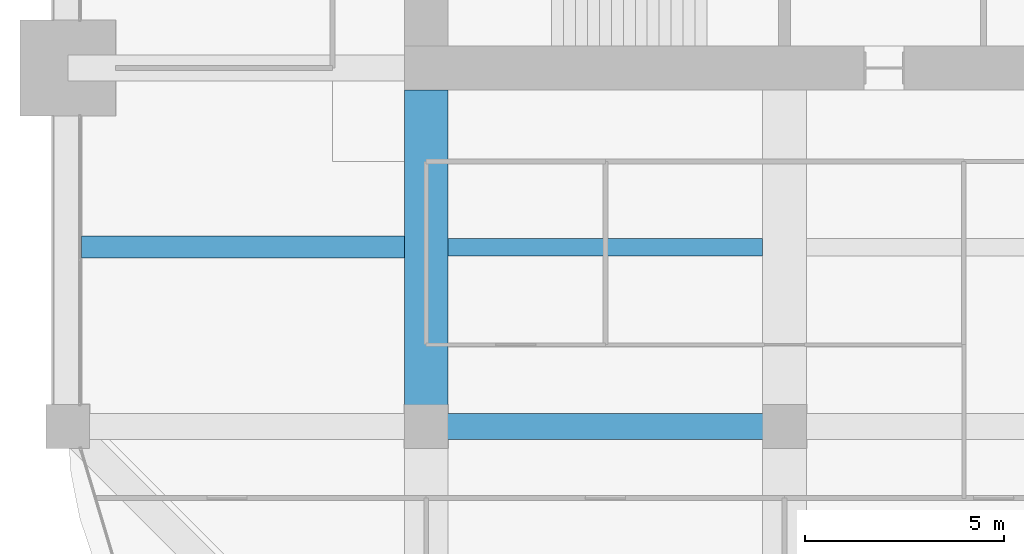
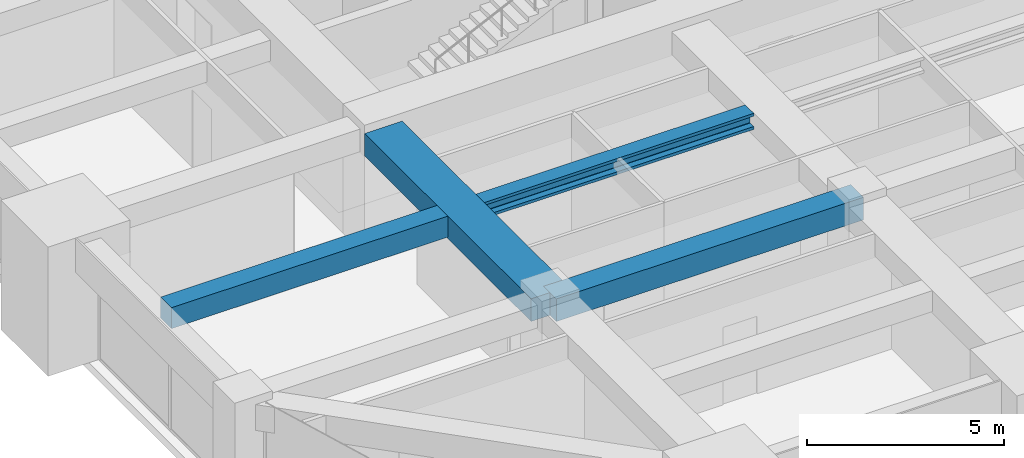
# One storey, part 8 of 45: 4 beams.
"""IFC4 building model written with IfcOpenShell, lengths in metres."""

from ifc_helpers import new_model, si_unit, direction, frame, origin, origin_2d, place, context, subcontext, project, spatial, rectangle, i_section, extrude, material, material_profile, profile_set, type_object, element, save


model = new_model("IFC4")

# Units and contexts
model_context = context("Model", 3, precision=1e-05, world=origin(), true_north=direction((0.0, 1.0)))
body_context = subcontext(model_context, "Body", "Model", "MODEL_VIEW")
ifc_project = project(units=[si_unit("LENGTHUNIT", "METRE"), si_unit("AREAUNIT", "SQUARE_METRE"), si_unit("VOLUMEUNIT", "CUBIC_METRE"), si_unit("PLANEANGLEUNIT", "RADIAN"), si_unit("MASSUNIT", "GRAM", prefix="KILO")], contexts=[model_context])

# Site, building, storey
site_placement = place(None, origin())
site = spatial("IfcSite", under=ifc_project, at=site_placement, CompositionType="ELEMENT")
building_placement = place(site_placement, origin())
building = spatial("IfcBuilding", under=site, at=building_placement, Name="Zorevar Civic Tower", CompositionType="ELEMENT")
storey_placement = place(building_placement, frame((0.0, 0.0, 247.39990234375)))
storey = spatial("IfcBuildingStorey", under=building, at=storey_placement, Name="L60", CompositionType="ELEMENT", Elevation=247.39990234375)

# Beams
ifc_material_1 = material(Name="Concrete C50/60", Category="concrete")
ifc_material_profile_1 = material_profile(ifc_material_1, rectangle(XDim=1.10009765625, YDim=0.699951171875, at=origin_2d()), Name="RC 1100x700")
ifc_profile_set_1 = profile_set([ifc_material_profile_1], Name="Concrete C50/60")
beam_type_1 = type_object("IfcBeamType", Name="Beam RC 1100x700", PredefinedType="BEAM", material=ifc_profile_set_1)
beam_1_placement = place(storey_placement, frame((18.0, 9.0, 3.400146484375), z_axis=(0.0, 1.0, 0.0), x_axis=(-1.0, 0.0, 0.0)))
element("IfcBeam", 1, at=beam_1_placement, inside=storey, type_object=beam_type_1, Name="Girder L61", PredefinedType="BEAM", context=body_context, shape_type="SweptSolid", body=[
    extrude(rectangle(XDim=1.10009765625, YDim=0.699951171875, at=origin_2d()), origin(), (0.0, 0.0, 1.0), 8.449951171875),
])
ifc_material_2 = material(Name="Concrete C50/60", Category="concrete")
ifc_material_profile_2 = material_profile(ifc_material_2, rectangle(XDim=0.550048828125, YDim=0.64990234375, at=origin_2d()), Name="RC 550x650")
ifc_profile_set_2 = profile_set([ifc_material_profile_2], Name="Concrete C50/60")
beam_type_2 = type_object("IfcBeamType", Name="Beam RC 550x650", PredefinedType="BEAM", material=ifc_profile_set_2)
beam_2_placement = place(storey_placement, frame((9.35009765625, 13.5, 3.425048828125), z_axis=(1.0, 0.0, 0.0), x_axis=(0.0, 1.0, 0.0)))
element("IfcBeam", 2, at=beam_2_placement, inside=storey, type_object=beam_type_2, Name="Secondary beam L61", PredefinedType="BEAM", context=body_context, shape_type="SweptSolid", body=[
    extrude(rectangle(XDim=0.550048828125, YDim=0.64990234375, at=origin_2d()), origin(), (0.0, 0.0, 1.0), 8.099853515625),
])
ifc_material_3 = material(Name="Concrete C50/60", Category="concrete")
ifc_material_profile_3 = material_profile(ifc_material_3, rectangle(XDim=0.64990234375, YDim=0.699951171875, at=origin_2d()), Name="RC 650x700")
ifc_profile_set_3 = profile_set([ifc_material_profile_3], Name="Concrete C50/60")
beam_type_3 = type_object("IfcBeamType", Name="Beam RC 650x700", PredefinedType="BEAM", material=ifc_profile_set_3)
beam_3_placement = place(storey_placement, frame((18.0, 9.0, 3.400146484375), z_axis=(1.0, 0.0, 0.0), x_axis=(0.0, 1.0, 0.0)))
element("IfcBeam", 3, at=beam_3_placement, inside=storey, type_object=beam_type_3, Name="Girder L61", PredefinedType="BEAM", context=body_context, shape_type="SweptSolid", body=[
    extrude(rectangle(XDim=0.64990234375, YDim=0.699951171875, at=origin_2d()), origin(), (0.0, 0.0, 1.0), 9.0),
])
ifc_material_4 = material(Name="Steel S460M (HISTAR 460)", Category="steel")
ifc_material_profile_4 = material_profile(ifc_material_4, i_section(OverallWidth=0.431884765625, OverallDepth=0.498046875, WebThickness=0.0556640625, FlangeThickness=0.0888671875, FilletRadius=0.014892578125, at=origin_2d()), Name="HD 400x744")
ifc_profile_set_4 = profile_set([ifc_material_profile_4], Name="Steel S460M (HISTAR 460)")
beam_type_4 = type_object("IfcBeamType", Name="Core bay beam HD 400x744", PredefinedType="BEAM", material=ifc_profile_set_4)
beam_4_placement = place(storey_placement, frame((18.550048828125, 13.5, 3.5009765625), z_axis=(1.0, 0.0, 0.0), x_axis=(0.0, 1.0, 0.0)))
element("IfcBeam", 4, at=beam_4_placement, inside=storey, type_object=beam_type_4, Name="Secondary beam L61", PredefinedType="BEAM", context=body_context, shape_type="SweptSolid", body=[
    extrude(i_section(OverallWidth=0.431884765625, OverallDepth=0.498046875, WebThickness=0.0556640625, FlangeThickness=0.0888671875, FilletRadius=0.014892578125, at=origin_2d()), origin(), (0.0, 0.0, 1.0), 7.89990234375),
])

save(model, "model.ifc")
